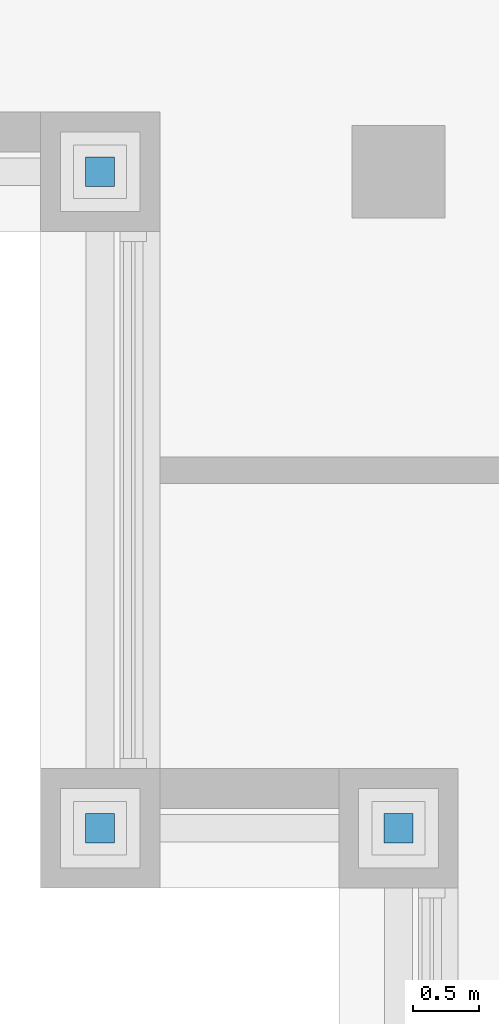
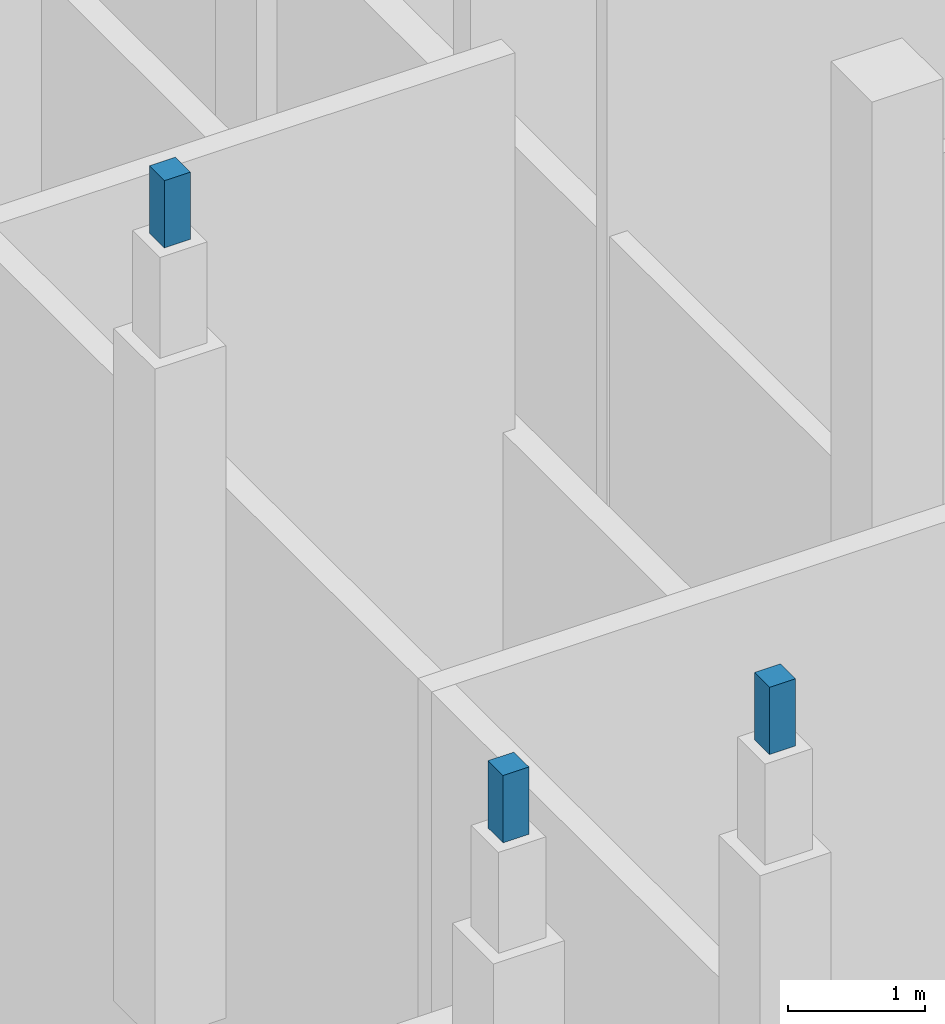
# One storey, part 8 of 16: 3 members.
"""IFC4 building model written with IfcOpenShell, lengths in metres."""

from ifc_helpers import new_model, si_unit, direction, frame, origin, origin_2d, place, context, subcontext, project, spatial, rectangle, extrude, material, material_profile, profile_set, type_object, element, save


model = new_model("IFC4")

# Units and contexts
model_context = context("Model", 3, precision=1e-05, world=origin(), true_north=direction((0.0, 1.0)))
body_context = subcontext(model_context, "Body", "Model", "MODEL_VIEW")
ifc_project = project(units=[si_unit("LENGTHUNIT", "METRE"), si_unit("AREAUNIT", "SQUARE_METRE"), si_unit("VOLUMEUNIT", "CUBIC_METRE"), si_unit("PLANEANGLEUNIT", "RADIAN"), si_unit("MASSUNIT", "GRAM", prefix="KILO")], contexts=[model_context])

# Site, building, storey
site_placement = place(None, origin())
site = spatial("IfcSite", under=ifc_project, at=site_placement, CompositionType="ELEMENT")
building_placement = place(site_placement, origin())
building = spatial("IfcBuilding", under=site, at=building_placement, Name="Corbelhall Arena Tower", CompositionType="ELEMENT")
storey_placement = place(building_placement, frame((0.0, 0.0, 366.0)))
storey = spatial("IfcBuildingStorey", under=building, at=storey_placement, Name="L80", CompositionType="ELEMENT", Elevation=366.0)

# Members
ifc_material = material(Name="Cast aluminium bronze finish", Category="aluminium")
ifc_material_profile = material_profile(ifc_material, rectangle(XDim=0.219970703125, YDim=0.219970703125, at=origin_2d()))
ifc_profile_set = profile_set([ifc_material_profile], Name="Cast aluminium bronze finish")
member_type = type_object("IfcMemberType", Name="EV-PN7 Pinnacle spire 220", PredefinedType="USERDEFINED", material=ifc_profile_set)
for number, where, z_axis, x_axis, name in (
    (1, (-22.5, -22.949951171875, 15.20654296875), (0.0, 0.0, 1.0), (1.0, 0.0, 0.0), "Pinnacle spire"),
    (2, (-24.75, -22.949951171875, 15.20654296875), (0.0, 0.0, 1.0), (1.0, 0.0, 0.0), "Pinnacle spire"),
    (3, (-24.75, -18.0, 17.512939453125), (0.0, 0.0, 1.0), (1.0, 0.0, 0.0), "Pinnacle spire"),
):
    element("IfcMember", number, at=place(storey_placement, frame(where, z_axis=z_axis, x_axis=x_axis)), inside=storey, type_object=member_type, Name=name, ObjectType="pinnacle spire", PredefinedType="USERDEFINED", context=body_context, shape_type="SweptSolid", body=[
        extrude(rectangle(XDim=0.219970703125, YDim=0.219970703125, at=origin_2d()), origin(), (0.0, 0.0, 1.0), 0.599853515625),
    ])

save(model, "model.ifc")
